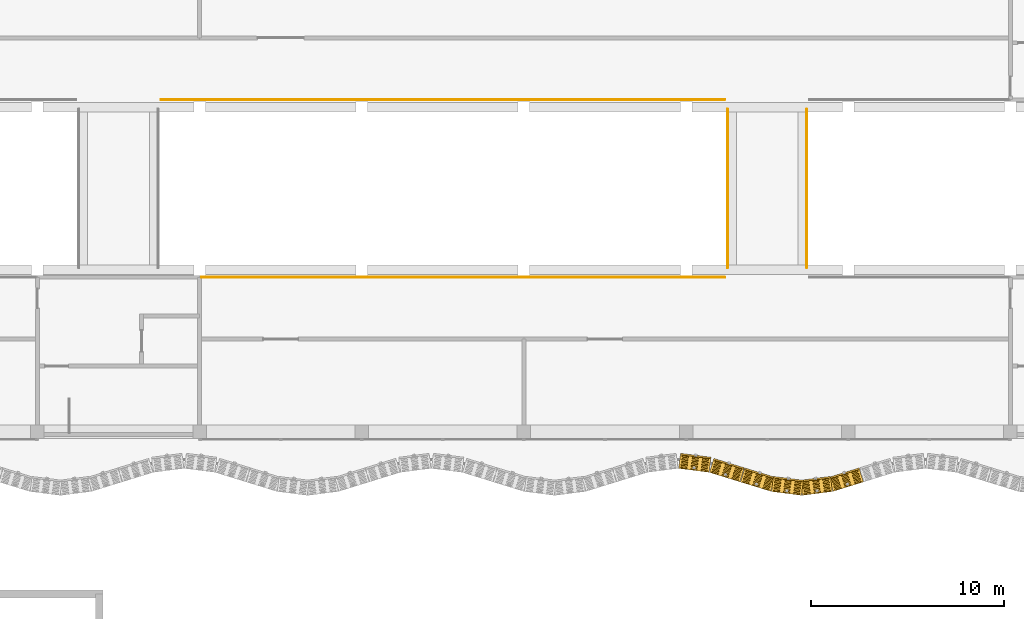
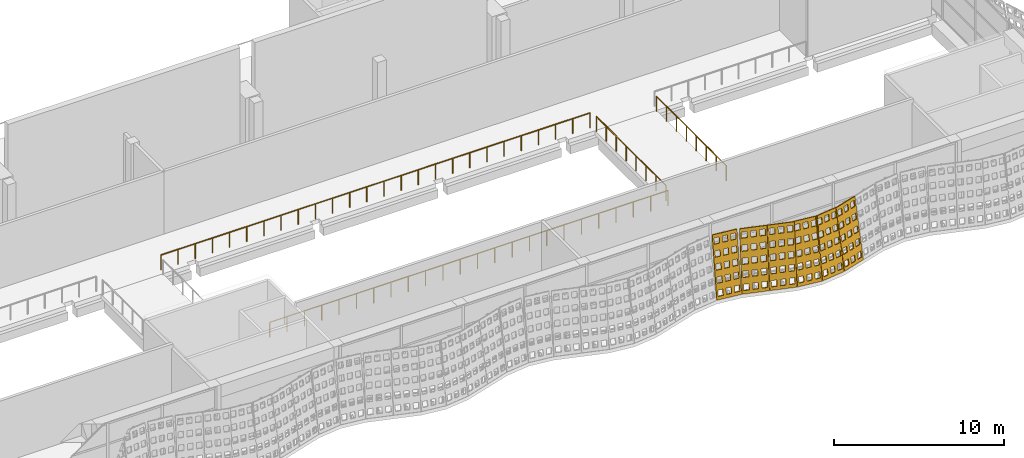
# One storey, part 152 of 162: 6 coverings, 4 railings.
"""IFC4 building model written with IfcOpenShell, lengths in metres."""

from ifc_helpers import new_model, si_unit, direction, frame, origin, origin_2d, place, context, subcontext, project, spatial, polyline, circle, outline, extrude, material, layer, layer_set, type_object, element, save


model = new_model("IFC4")

# Units and contexts
model_context = context("Model", 3, precision=1e-05, world=origin(), true_north=direction((0.0, 1.0)))
body_context = subcontext(model_context, "Body", "Model", "MODEL_VIEW")
ifc_project = project(units=[si_unit("LENGTHUNIT", "METRE"), si_unit("AREAUNIT", "SQUARE_METRE"), si_unit("VOLUMEUNIT", "CUBIC_METRE"), si_unit("PLANEANGLEUNIT", "RADIAN"), si_unit("MASSUNIT", "GRAM", prefix="KILO")], contexts=[model_context])

# Site, building, storey
site_placement = place(None, origin())
site = spatial("IfcSite", under=ifc_project, at=site_placement, CompositionType="ELEMENT")
building_placement = place(site_placement, origin())
building = spatial("IfcBuilding", under=site, at=building_placement, Name="Rain Tree Exposition and Congress Centre", CompositionType="ELEMENT")
storey_placement = place(building_placement, frame((0.0, 0.0, 6.0)))
storey = spatial("IfcBuildingStorey", under=building, at=storey_placement, Name="L01", CompositionType="ELEMENT", Elevation=6.0)

# Railings
ifc_material_1 = material(Name="Aluminium and glass balustrade", Category="aluminium")
railing_type = type_object("IfcRailingType", Name="Concourse guard 1100", PredefinedType="GUARDRAIL", material=ifc_material_1)
railing_1_placement = place(storey_placement, frame((218.5, 83.60009765625, 0.0)))
element("IfcRailing", 1, at=railing_1_placement, inside=storey, type_object=railing_type, Name="Concourse promenade guard 12", PredefinedType="GUARDRAIL", context=body_context, shape_type="SweptSolid", body=[
    extrude(circle(Radius=0.02392578125, at=origin_2d()), frame((0.0, 0.0, 1.076171875), z_axis=(1.0, 0.0, 0.0), x_axis=(0.0, 1.0, 0.0)), (0.0, 0.0, 1.0), 27.10009765625),
    extrude(circle(Radius=0.02099609375, at=origin_2d()), origin(), (0.0, 0.0, 1.0), 1.052001953125),
    extrude(circle(Radius=0.02099609375, at=origin_2d()), frame((1.17822265625, 0.0, 0.0)), (0.0, 0.0, 1.0), 1.052001953125),
    extrude(circle(Radius=0.02099609375, at=origin_2d()), frame((2.3564453125, 0.0, 0.0)), (0.0, 0.0, 1.0), 1.052001953125),
    extrude(circle(Radius=0.02099609375, at=origin_2d()), frame((3.534912109375, 0.0, 0.0)), (0.0, 0.0, 1.0), 1.052001953125),
    extrude(circle(Radius=0.02099609375, at=origin_2d()), frame((4.713134765625, 0.0, 0.0)), (0.0, 0.0, 1.0), 1.052001953125),
    extrude(circle(Radius=0.02099609375, at=origin_2d()), frame((5.891357421875, 0.0, 0.0)), (0.0, 0.0, 1.0), 1.052001953125),
    extrude(circle(Radius=0.02099609375, at=origin_2d()), frame((7.069580078125, 0.0, 0.0)), (0.0, 0.0, 1.0), 1.052001953125),
    extrude(circle(Radius=0.02099609375, at=origin_2d()), frame((8.247802734375, 0.0, 0.0)), (0.0, 0.0, 1.0), 1.052001953125),
    extrude(circle(Radius=0.02099609375, at=origin_2d()), frame((9.426025390625, 0.0, 0.0)), (0.0, 0.0, 1.0), 1.052001953125),
    extrude(circle(Radius=0.02099609375, at=origin_2d()), frame((10.6044921875, 0.0, 0.0)), (0.0, 0.0, 1.0), 1.052001953125),
    extrude(circle(Radius=0.02099609375, at=origin_2d()), frame((11.78271484375, 0.0, 0.0)), (0.0, 0.0, 1.0), 1.052001953125),
    extrude(circle(Radius=0.02099609375, at=origin_2d()), frame((12.9609375, 0.0, 0.0)), (0.0, 0.0, 1.0), 1.052001953125),
    extrude(circle(Radius=0.02099609375, at=origin_2d()), frame((14.13916015625, 0.0, 0.0)), (0.0, 0.0, 1.0), 1.052001953125),
    extrude(circle(Radius=0.02099609375, at=origin_2d()), frame((15.3173828125, 0.0, 0.0)), (0.0, 0.0, 1.0), 1.052001953125),
    extrude(circle(Radius=0.02099609375, at=origin_2d()), frame((16.49560546875, 0.0, 0.0)), (0.0, 0.0, 1.0), 1.052001953125),
    extrude(circle(Radius=0.02099609375, at=origin_2d()), frame((17.674072265625, 0.0, 0.0)), (0.0, 0.0, 1.0), 1.052001953125),
    extrude(circle(Radius=0.02099609375, at=origin_2d()), frame((18.852294921875, 0.0, 0.0)), (0.0, 0.0, 1.0), 1.052001953125),
    extrude(circle(Radius=0.02099609375, at=origin_2d()), frame((20.030517578125, 0.0, 0.0)), (0.0, 0.0, 1.0), 1.052001953125),
    extrude(circle(Radius=0.02099609375, at=origin_2d()), frame((21.208740234375, 0.0, 0.0)), (0.0, 0.0, 1.0), 1.052001953125),
    extrude(circle(Radius=0.02099609375, at=origin_2d()), frame((22.386962890625, 0.0, 0.0)), (0.0, 0.0, 1.0), 1.052001953125),
    extrude(circle(Radius=0.02099609375, at=origin_2d()), frame((23.565185546875, 0.0, 0.0)), (0.0, 0.0, 1.0), 1.052001953125),
    extrude(circle(Radius=0.02099609375, at=origin_2d()), frame((24.74365234375, 0.0, 0.0)), (0.0, 0.0, 1.0), 1.052001953125),
    extrude(circle(Radius=0.02099609375, at=origin_2d()), frame((25.921875, 0.0, 0.0)), (0.0, 0.0, 1.0), 1.052001953125),
    extrude(circle(Radius=0.02099609375, at=origin_2d()), frame((27.10009765625, 0.0, 0.0)), (0.0, 0.0, 1.0), 1.052001953125),
])
railing_2_placement = place(storey_placement, frame((216.39990234375, 92.800048828125, 0.0)))
element("IfcRailing", 2, at=railing_2_placement, inside=storey, type_object=railing_type, Name="Concourse promenade guard 26", PredefinedType="GUARDRAIL", context=body_context, shape_type="SweptSolid", body=[
    extrude(circle(Radius=0.02392578125, at=origin_2d()), frame((0.0, 0.0, 1.076171875), z_axis=(1.0, 0.0, 0.0), x_axis=(0.0, 1.0, 0.0)), (0.0, 0.0, 1.0), 29.2001953125),
    extrude(circle(Radius=0.02099609375, at=origin_2d()), origin(), (0.0, 0.0, 1.0), 1.052001953125),
    extrude(circle(Radius=0.02099609375, at=origin_2d()), frame((1.16796875, 0.0, 0.0)), (0.0, 0.0, 1.0), 1.052001953125),
    extrude(circle(Radius=0.02099609375, at=origin_2d()), frame((2.3359375, 0.0, 0.0)), (0.0, 0.0, 1.0), 1.052001953125),
    extrude(circle(Radius=0.02099609375, at=origin_2d()), frame((3.50390625, 0.0, 0.0)), (0.0, 0.0, 1.0), 1.052001953125),
    extrude(circle(Radius=0.02099609375, at=origin_2d()), frame((4.672119140625, 0.0, 0.0)), (0.0, 0.0, 1.0), 1.052001953125),
    extrude(circle(Radius=0.02099609375, at=origin_2d()), frame((5.840087890625, 0.0, 0.0)), (0.0, 0.0, 1.0), 1.052001953125),
    extrude(circle(Radius=0.02099609375, at=origin_2d()), frame((7.008056640625, 0.0, 0.0)), (0.0, 0.0, 1.0), 1.052001953125),
    extrude(circle(Radius=0.02099609375, at=origin_2d()), frame((8.176025390625, 0.0, 0.0)), (0.0, 0.0, 1.0), 1.052001953125),
    extrude(circle(Radius=0.02099609375, at=origin_2d()), frame((9.343994140625, 0.0, 0.0)), (0.0, 0.0, 1.0), 1.052001953125),
    extrude(circle(Radius=0.02099609375, at=origin_2d()), frame((10.511962890625, 0.0, 0.0)), (0.0, 0.0, 1.0), 1.052001953125),
    extrude(circle(Radius=0.02099609375, at=origin_2d()), frame((11.68017578125, 0.0, 0.0)), (0.0, 0.0, 1.0), 1.052001953125),
    extrude(circle(Radius=0.02099609375, at=origin_2d()), frame((12.84814453125, 0.0, 0.0)), (0.0, 0.0, 1.0), 1.052001953125),
    extrude(circle(Radius=0.02099609375, at=origin_2d()), frame((14.01611328125, 0.0, 0.0)), (0.0, 0.0, 1.0), 1.052001953125),
    extrude(circle(Radius=0.02099609375, at=origin_2d()), frame((15.18408203125, 0.0, 0.0)), (0.0, 0.0, 1.0), 1.052001953125),
    extrude(circle(Radius=0.02099609375, at=origin_2d()), frame((16.35205078125, 0.0, 0.0)), (0.0, 0.0, 1.0), 1.052001953125),
    extrude(circle(Radius=0.02099609375, at=origin_2d()), frame((17.52001953125, 0.0, 0.0)), (0.0, 0.0, 1.0), 1.052001953125),
    extrude(circle(Radius=0.02099609375, at=origin_2d()), frame((18.688232421875, 0.0, 0.0)), (0.0, 0.0, 1.0), 1.052001953125),
    extrude(circle(Radius=0.02099609375, at=origin_2d()), frame((19.856201171875, 0.0, 0.0)), (0.0, 0.0, 1.0), 1.052001953125),
    extrude(circle(Radius=0.02099609375, at=origin_2d()), frame((21.024169921875, 0.0, 0.0)), (0.0, 0.0, 1.0), 1.052001953125),
    extrude(circle(Radius=0.02099609375, at=origin_2d()), frame((22.192138671875, 0.0, 0.0)), (0.0, 0.0, 1.0), 1.052001953125),
    extrude(circle(Radius=0.02099609375, at=origin_2d()), frame((23.360107421875, 0.0, 0.0)), (0.0, 0.0, 1.0), 1.052001953125),
    extrude(circle(Radius=0.02099609375, at=origin_2d()), frame((24.528076171875, 0.0, 0.0)), (0.0, 0.0, 1.0), 1.052001953125),
    extrude(circle(Radius=0.02099609375, at=origin_2d()), frame((25.6962890625, 0.0, 0.0)), (0.0, 0.0, 1.0), 1.052001953125),
    extrude(circle(Radius=0.02099609375, at=origin_2d()), frame((26.8642578125, 0.0, 0.0)), (0.0, 0.0, 1.0), 1.052001953125),
    extrude(circle(Radius=0.02099609375, at=origin_2d()), frame((28.0322265625, 0.0, 0.0)), (0.0, 0.0, 1.0), 1.052001953125),
    extrude(circle(Radius=0.02099609375, at=origin_2d()), frame((29.2001953125, 0.0, 0.0)), (0.0, 0.0, 1.0), 1.052001953125),
])
for number, where, name in (
    (3, (245.75, 84.10009765625, 0.0), "Concourse bridge guard 8.1"),
    (4, (249.85009765625, 84.10009765625, 0.0), "Concourse bridge guard 8.2"),
):
    element("IfcRailing", number, at=place(storey_placement, frame(where)), inside=storey, type_object=railing_type, Name=name, PredefinedType="GUARDRAIL", context=body_context, shape_type="SweptSolid", body=[
        extrude(circle(Radius=0.02392578125, at=origin_2d()), frame((0.0, 0.0, 1.076171875), z_axis=(0.0, 1.0, 0.0), x_axis=(-1.0, 0.0, 0.0)), (0.0, 0.0, 1.0), 8.199951171875),
        extrude(circle(Radius=0.02099609375, at=origin_2d()), origin(), (0.0, 0.0, 1.0), 1.052001953125),
        extrude(circle(Radius=0.02099609375, at=origin_2d()), frame((0.0, 1.17138671875, 0.0)), (0.0, 0.0, 1.0), 1.052001953125),
        extrude(circle(Radius=0.02099609375, at=origin_2d()), frame((0.0, 2.3427734375, 0.0)), (0.0, 0.0, 1.0), 1.052001953125),
        extrude(circle(Radius=0.02099609375, at=origin_2d()), frame((0.0, 3.51416015625, 0.0)), (0.0, 0.0, 1.0), 1.052001953125),
        extrude(circle(Radius=0.02099609375, at=origin_2d()), frame((0.0, 4.685791015625, 0.0)), (0.0, 0.0, 1.0), 1.052001953125),
        extrude(circle(Radius=0.02099609375, at=origin_2d()), frame((0.0, 5.857177734375, 0.0)), (0.0, 0.0, 1.0), 1.052001953125),
        extrude(circle(Radius=0.02099609375, at=origin_2d()), frame((0.0, 7.028564453125, 0.0)), (0.0, 0.0, 1.0), 1.052001953125),
        extrude(circle(Radius=0.02099609375, at=origin_2d()), frame((0.0, 8.199951171875, 0.0)), (0.0, 0.0, 1.0), 1.052001953125),
    ])

# Coverings
ifc_material_2 = material(Name="Perforated terracotta", Category="masonry")
ifc_layer = layer(ifc_material_2, 0.080078125)
ifc_layer_set = layer_set([ifc_layer], Name="Perforated terracotta")
covering_type = type_object("IfcCoveringType", Name="Terracotta screen 80", PredefinedType="CLADDING", material=ifc_layer_set)
covering_1_placement = place(storey_placement, frame((243.2001953125, 73.701904296875, 0.01318359375), z_axis=(0.125342414455, 0.978282259159, -0.165085131233), x_axis=(-0.991891686382, 0.127086122318, 0.0)))
element("IfcCovering", 5, at=covering_1_placement, inside=storey, type_object=covering_type, Name="concourse/screen/L01/153", PredefinedType="CLADDING", context=body_context, shape_type="SweptSolid", body=[
    extrude(outline(polyline([(-1.59814453125, 0.0), (-1.59814453125, 4.295166015625), (-0.014892578125, 4.295166015625), (-0.014892578125, 0.0), (-1.59814453125, 0.0)]), holes=[polyline([(-0.115234375, 0.2216796875), (-0.115234375, 0.63720703125), (-0.4423828125, 0.63720703125), (-0.4423828125, 0.2216796875), (-0.115234375, 0.2216796875)]), polyline([(-0.115234375, 1.080810546875), (-0.115234375, 1.496337890625), (-0.4423828125, 1.496337890625), (-0.4423828125, 1.080810546875), (-0.115234375, 1.080810546875)]), polyline([(-0.115234375, 1.939697265625), (-0.115234375, 2.35546875), (-0.4423828125, 2.35546875), (-0.4423828125, 1.939697265625), (-0.115234375, 1.939697265625)]), polyline([(-0.115234375, 2.798583984375), (-0.115234375, 3.21435546875), (-0.4423828125, 3.21435546875), (-0.4423828125, 2.798583984375), (-0.115234375, 2.798583984375)]), polyline([(-0.115234375, 3.65771484375), (-0.115234375, 4.073486328125), (-0.4423828125, 4.073486328125), (-0.4423828125, 3.65771484375), (-0.115234375, 3.65771484375)]), polyline([(-0.64306640625, 0.2216796875), (-0.64306640625, 0.63720703125), (-0.97021484375, 0.63720703125), (-0.97021484375, 0.2216796875), (-0.64306640625, 0.2216796875)]), polyline([(-0.64306640625, 1.080810546875), (-0.64306640625, 1.496337890625), (-0.97021484375, 1.496337890625), (-0.97021484375, 1.080810546875), (-0.64306640625, 1.080810546875)]), polyline([(-0.64306640625, 1.939697265625), (-0.64306640625, 2.35546875), (-0.97021484375, 2.35546875), (-0.97021484375, 1.939697265625), (-0.64306640625, 1.939697265625)]), polyline([(-0.64306640625, 2.798583984375), (-0.64306640625, 3.21435546875), (-0.97021484375, 3.21435546875), (-0.97021484375, 2.798583984375), (-0.64306640625, 2.798583984375)]), polyline([(-0.64306640625, 3.65771484375), (-0.64306640625, 4.073486328125), (-0.97021484375, 4.073486328125), (-0.97021484375, 3.65771484375), (-0.64306640625, 3.65771484375)]), polyline([(-1.170654296875, 0.2216796875), (-1.170654296875, 0.63720703125), (-1.497802734375, 0.63720703125), (-1.497802734375, 0.2216796875), (-1.170654296875, 0.2216796875)]), polyline([(-1.170654296875, 1.080810546875), (-1.170654296875, 1.496337890625), (-1.497802734375, 1.496337890625), (-1.497802734375, 1.080810546875), (-1.170654296875, 1.080810546875)]), polyline([(-1.170654296875, 1.939697265625), (-1.170654296875, 2.35546875), (-1.497802734375, 2.35546875), (-1.497802734375, 1.939697265625), (-1.170654296875, 1.939697265625)]), polyline([(-1.170654296875, 2.798583984375), (-1.170654296875, 3.21435546875), (-1.497802734375, 3.21435546875), (-1.497802734375, 2.798583984375), (-1.170654296875, 2.798583984375)]), polyline([(-1.170654296875, 3.65771484375), (-1.170654296875, 4.073486328125), (-1.497802734375, 4.073486328125), (-1.497802734375, 3.65771484375), (-1.170654296875, 3.65771484375)])]), origin(), (0.0, 0.0, 1.0), 0.079833984375),
])
covering_2_placement = place(storey_placement, frame((244.800537109375, 73.49658203125, 0.0126953125), z_axis=(0.292932171154, 0.942875425902, -0.158671592708), x_axis=(-0.954973588716, 0.296690823679, 0.0)))
element("IfcCovering", 6, at=covering_2_placement, inside=storey, type_object=covering_type, Name="concourse/screen/L01/154", PredefinedType="CLADDING", context=body_context, shape_type="SweptSolid", body=[
    extrude(outline(polyline([(-1.659912109375, 0.0), (-1.659912109375, 4.29150390625), (-0.014892578125, 4.29150390625), (-0.014892578125, 0.0), (-1.659912109375, 0.0)]), holes=[polyline([(-0.119140625, 0.221435546875), (-0.119140625, 0.63671875), (-0.458984375, 0.63671875), (-0.458984375, 0.221435546875), (-0.119140625, 0.221435546875)]), polyline([(-0.119140625, 1.079833984375), (-0.119140625, 1.4951171875), (-0.458984375, 1.4951171875), (-0.458984375, 1.079833984375), (-0.119140625, 1.079833984375)]), polyline([(-0.119140625, 1.93798828125), (-0.119140625, 2.353271484375), (-0.458984375, 2.353271484375), (-0.458984375, 1.93798828125), (-0.119140625, 1.93798828125)]), polyline([(-0.119140625, 2.79638671875), (-0.119140625, 3.211669921875), (-0.458984375, 3.211669921875), (-0.458984375, 2.79638671875), (-0.119140625, 2.79638671875)]), polyline([(-0.119140625, 3.654541015625), (-0.119140625, 4.06982421875), (-0.458984375, 4.06982421875), (-0.458984375, 3.654541015625), (-0.119140625, 3.654541015625)]), polyline([(-0.66748046875, 0.221435546875), (-0.66748046875, 0.63671875), (-1.00732421875, 0.63671875), (-1.00732421875, 0.221435546875), (-0.66748046875, 0.221435546875)]), polyline([(-0.66748046875, 1.079833984375), (-0.66748046875, 1.4951171875), (-1.00732421875, 1.4951171875), (-1.00732421875, 1.079833984375), (-0.66748046875, 1.079833984375)]), polyline([(-0.66748046875, 1.93798828125), (-0.66748046875, 2.353271484375), (-1.00732421875, 2.353271484375), (-1.00732421875, 1.93798828125), (-0.66748046875, 1.93798828125)]), polyline([(-0.66748046875, 2.79638671875), (-0.66748046875, 3.211669921875), (-1.00732421875, 3.211669921875), (-1.00732421875, 2.79638671875), (-0.66748046875, 2.79638671875)]), polyline([(-0.66748046875, 3.654541015625), (-0.66748046875, 4.06982421875), (-1.00732421875, 4.06982421875), (-1.00732421875, 3.654541015625), (-0.66748046875, 3.654541015625)]), polyline([(-1.2158203125, 0.221435546875), (-1.2158203125, 0.63671875), (-1.5556640625, 0.63671875), (-1.5556640625, 0.221435546875), (-1.2158203125, 0.221435546875)]), polyline([(-1.2158203125, 1.079833984375), (-1.2158203125, 1.4951171875), (-1.5556640625, 1.4951171875), (-1.5556640625, 1.079833984375), (-1.2158203125, 1.079833984375)]), polyline([(-1.2158203125, 1.93798828125), (-1.2158203125, 2.353271484375), (-1.5556640625, 2.353271484375), (-1.5556640625, 1.93798828125), (-1.2158203125, 1.93798828125)]), polyline([(-1.2158203125, 2.79638671875), (-1.2158203125, 3.211669921875), (-1.5556640625, 3.211669921875), (-1.5556640625, 2.79638671875), (-1.2158203125, 2.79638671875)]), polyline([(-1.2158203125, 3.654541015625), (-1.2158203125, 4.06982421875), (-1.5556640625, 4.06982421875), (-1.5556640625, 3.654541015625), (-1.2158203125, 3.654541015625)])]), origin(), (0.0, 0.0, 1.0), 0.080078125),
])
covering_3_placement = place(storey_placement, frame((246.400634765625, 73.001708984375, 0.0126953125), z_axis=(0.290138898064, 0.943714942124, -0.158812870519), x_axis=(-0.955845867297, 0.293868470528, 0.0)))
element("IfcCovering", 7, at=covering_3_placement, inside=storey, type_object=covering_type, Name="concourse/screen/L01/155", PredefinedType="CLADDING", context=body_context, shape_type="SweptSolid", body=[
    extrude(outline(polyline([(-1.65283203125, 0.0), (-1.65283203125, 4.29150390625), (-0.014892578125, 4.29150390625), (-0.014892578125, 0.0), (-1.65283203125, 0.0)]), holes=[polyline([(-0.11865234375, 0.221435546875), (-0.11865234375, 0.63671875), (-0.457275390625, 0.63671875), (-0.457275390625, 0.221435546875), (-0.11865234375, 0.221435546875)]), polyline([(-0.11865234375, 1.079833984375), (-0.11865234375, 1.4951171875), (-0.457275390625, 1.4951171875), (-0.457275390625, 1.079833984375), (-0.11865234375, 1.079833984375)]), polyline([(-0.11865234375, 1.93798828125), (-0.11865234375, 2.353271484375), (-0.457275390625, 2.353271484375), (-0.457275390625, 1.93798828125), (-0.11865234375, 1.93798828125)]), polyline([(-0.11865234375, 2.79638671875), (-0.11865234375, 3.211669921875), (-0.457275390625, 3.211669921875), (-0.457275390625, 2.79638671875), (-0.11865234375, 2.79638671875)]), polyline([(-0.11865234375, 3.654541015625), (-0.11865234375, 4.06982421875), (-0.457275390625, 4.06982421875), (-0.457275390625, 3.654541015625), (-0.11865234375, 3.654541015625)]), polyline([(-0.664794921875, 0.221435546875), (-0.664794921875, 0.63671875), (-1.003173828125, 0.63671875), (-1.003173828125, 0.221435546875), (-0.664794921875, 0.221435546875)]), polyline([(-0.664794921875, 1.079833984375), (-0.664794921875, 1.4951171875), (-1.003173828125, 1.4951171875), (-1.003173828125, 1.079833984375), (-0.664794921875, 1.079833984375)]), polyline([(-0.664794921875, 1.93798828125), (-0.664794921875, 2.353271484375), (-1.003173828125, 2.353271484375), (-1.003173828125, 1.93798828125), (-0.664794921875, 1.93798828125)]), polyline([(-0.664794921875, 2.79638671875), (-0.664794921875, 3.211669921875), (-1.003173828125, 3.211669921875), (-1.003173828125, 2.79638671875), (-0.664794921875, 2.79638671875)]), polyline([(-0.664794921875, 3.654541015625), (-0.664794921875, 4.06982421875), (-1.003173828125, 4.06982421875), (-1.003173828125, 3.654541015625), (-0.664794921875, 3.654541015625)]), polyline([(-1.210693359375, 0.221435546875), (-1.210693359375, 0.63671875), (-1.54931640625, 0.63671875), (-1.54931640625, 0.221435546875), (-1.210693359375, 0.221435546875)]), polyline([(-1.210693359375, 1.079833984375), (-1.210693359375, 1.4951171875), (-1.54931640625, 1.4951171875), (-1.54931640625, 1.079833984375), (-1.210693359375, 1.079833984375)]), polyline([(-1.210693359375, 1.93798828125), (-1.210693359375, 2.353271484375), (-1.54931640625, 2.353271484375), (-1.54931640625, 1.93798828125), (-1.210693359375, 1.93798828125)]), polyline([(-1.210693359375, 2.79638671875), (-1.210693359375, 3.211669921875), (-1.54931640625, 3.211669921875), (-1.54931640625, 2.79638671875), (-1.210693359375, 2.79638671875)]), polyline([(-1.210693359375, 3.654541015625), (-1.210693359375, 4.06982421875), (-1.54931640625, 4.06982421875), (-1.54931640625, 3.654541015625), (-1.210693359375, 3.654541015625)])]), origin(), (0.0, 0.0, 1.0), 0.079833984375),
])
covering_4_placement = place(storey_placement, frame((248.000244140625, 72.5068359375, 0.01318359375), z_axis=(0.124968640969, 0.978413018317, -0.164592844203), x_axis=(-0.991941518713, 0.126696580272, 0.0)))
element("IfcCovering", 8, at=covering_4_placement, inside=storey, type_object=covering_type, Name="concourse/screen/L01/156", PredefinedType="CLADDING", context=body_context, shape_type="SweptSolid", body=[
    extrude(outline(polyline([(-1.587890625, 0.0), (-1.587890625, 4.295166015625), (-0.02197265625, 4.295166015625), (-0.02197265625, 0.0), (-1.587890625, 0.0)]), holes=[polyline([(-0.12109375, 0.2216796875), (-0.12109375, 0.63720703125), (-0.444580078125, 0.63720703125), (-0.444580078125, 0.2216796875), (-0.12109375, 0.2216796875)]), polyline([(-0.12109375, 1.080810546875), (-0.12109375, 1.496337890625), (-0.444580078125, 1.496337890625), (-0.444580078125, 1.080810546875), (-0.12109375, 1.080810546875)]), polyline([(-0.12109375, 1.939697265625), (-0.12109375, 2.35546875), (-0.444580078125, 2.35546875), (-0.444580078125, 1.939697265625), (-0.12109375, 1.939697265625)]), polyline([(-0.12109375, 2.798583984375), (-0.12109375, 3.21435546875), (-0.444580078125, 3.21435546875), (-0.444580078125, 2.798583984375), (-0.12109375, 2.798583984375)]), polyline([(-0.12109375, 3.65771484375), (-0.12109375, 4.073486328125), (-0.444580078125, 4.073486328125), (-0.444580078125, 3.65771484375), (-0.12109375, 3.65771484375)]), polyline([(-0.64306640625, 0.2216796875), (-0.64306640625, 0.63720703125), (-0.966796875, 0.63720703125), (-0.966796875, 0.2216796875), (-0.64306640625, 0.2216796875)]), polyline([(-0.64306640625, 1.080810546875), (-0.64306640625, 1.496337890625), (-0.966796875, 1.496337890625), (-0.966796875, 1.080810546875), (-0.64306640625, 1.080810546875)]), polyline([(-0.64306640625, 1.939697265625), (-0.64306640625, 2.35546875), (-0.966796875, 2.35546875), (-0.966796875, 1.939697265625), (-0.64306640625, 1.939697265625)]), polyline([(-0.64306640625, 2.798583984375), (-0.64306640625, 3.21435546875), (-0.966796875, 3.21435546875), (-0.966796875, 2.798583984375), (-0.64306640625, 2.798583984375)]), polyline([(-0.64306640625, 3.65771484375), (-0.64306640625, 4.073486328125), (-0.966796875, 4.073486328125), (-0.966796875, 3.65771484375), (-0.64306640625, 3.65771484375)]), polyline([(-1.1650390625, 0.2216796875), (-1.1650390625, 0.63720703125), (-1.48876953125, 0.63720703125), (-1.48876953125, 0.2216796875), (-1.1650390625, 0.2216796875)]), polyline([(-1.1650390625, 1.080810546875), (-1.1650390625, 1.496337890625), (-1.48876953125, 1.496337890625), (-1.48876953125, 1.080810546875), (-1.1650390625, 1.080810546875)]), polyline([(-1.1650390625, 1.939697265625), (-1.1650390625, 2.35546875), (-1.48876953125, 2.35546875), (-1.48876953125, 1.939697265625), (-1.1650390625, 1.939697265625)]), polyline([(-1.1650390625, 2.798583984375), (-1.1650390625, 3.21435546875), (-1.48876953125, 3.21435546875), (-1.48876953125, 2.798583984375), (-1.1650390625, 2.798583984375)]), polyline([(-1.1650390625, 3.65771484375), (-1.1650390625, 4.073486328125), (-1.48876953125, 4.073486328125), (-1.48876953125, 3.65771484375), (-1.1650390625, 3.65771484375)])]), origin(), (0.0, 0.0, 1.0), 0.080078125),
])
covering_5_placement = place(storey_placement, frame((249.599609375, 72.302001953125, 0.01318359375), z_axis=(-0.125342414455, 0.978282259159, -0.165085131233), x_axis=(-0.991891686382, -0.127086122318, 0.0)))
element("IfcCovering", 9, at=covering_5_placement, inside=storey, type_object=covering_type, Name="concourse/screen/L01/157", PredefinedType="CLADDING", context=body_context, shape_type="SweptSolid", body=[
    extrude(outline(polyline([(-1.59130859375, 0.0), (-1.59130859375, 4.295166015625), (-0.025146484375, 4.295166015625), (-0.025146484375, 0.0), (-1.59130859375, 0.0)]), holes=[polyline([(-0.12451171875, 0.2216796875), (-0.12451171875, 0.63720703125), (-0.447998046875, 0.63720703125), (-0.447998046875, 0.2216796875), (-0.12451171875, 0.2216796875)]), polyline([(-0.12451171875, 1.080810546875), (-0.12451171875, 1.496337890625), (-0.447998046875, 1.496337890625), (-0.447998046875, 1.080810546875), (-0.12451171875, 1.080810546875)]), polyline([(-0.12451171875, 1.939697265625), (-0.12451171875, 2.35546875), (-0.447998046875, 2.35546875), (-0.447998046875, 1.939697265625), (-0.12451171875, 1.939697265625)]), polyline([(-0.12451171875, 2.798583984375), (-0.12451171875, 3.21435546875), (-0.447998046875, 3.21435546875), (-0.447998046875, 2.798583984375), (-0.12451171875, 2.798583984375)]), polyline([(-0.12451171875, 3.65771484375), (-0.12451171875, 4.073486328125), (-0.447998046875, 4.073486328125), (-0.447998046875, 3.65771484375), (-0.12451171875, 3.65771484375)]), polyline([(-0.646484375, 0.2216796875), (-0.646484375, 0.63720703125), (-0.969970703125, 0.63720703125), (-0.969970703125, 0.2216796875), (-0.646484375, 0.2216796875)]), polyline([(-0.646484375, 1.080810546875), (-0.646484375, 1.496337890625), (-0.969970703125, 1.496337890625), (-0.969970703125, 1.080810546875), (-0.646484375, 1.080810546875)]), polyline([(-0.646484375, 1.939697265625), (-0.646484375, 2.35546875), (-0.969970703125, 2.35546875), (-0.969970703125, 1.939697265625), (-0.646484375, 1.939697265625)]), polyline([(-0.646484375, 2.798583984375), (-0.646484375, 3.21435546875), (-0.969970703125, 3.21435546875), (-0.969970703125, 2.798583984375), (-0.646484375, 2.798583984375)]), polyline([(-0.646484375, 3.65771484375), (-0.646484375, 4.073486328125), (-0.969970703125, 4.073486328125), (-0.969970703125, 3.65771484375), (-0.646484375, 3.65771484375)]), polyline([(-1.16845703125, 0.2216796875), (-1.16845703125, 0.63720703125), (-1.491943359375, 0.63720703125), (-1.491943359375, 0.2216796875), (-1.16845703125, 0.2216796875)]), polyline([(-1.16845703125, 1.080810546875), (-1.16845703125, 1.496337890625), (-1.491943359375, 1.496337890625), (-1.491943359375, 1.080810546875), (-1.16845703125, 1.080810546875)]), polyline([(-1.16845703125, 1.939697265625), (-1.16845703125, 2.35546875), (-1.491943359375, 2.35546875), (-1.491943359375, 1.939697265625), (-1.16845703125, 1.939697265625)]), polyline([(-1.16845703125, 2.798583984375), (-1.16845703125, 3.21435546875), (-1.491943359375, 3.21435546875), (-1.491943359375, 2.798583984375), (-1.16845703125, 2.798583984375)]), polyline([(-1.16845703125, 3.65771484375), (-1.16845703125, 4.073486328125), (-1.491943359375, 4.073486328125), (-1.491943359375, 3.65771484375), (-1.16845703125, 3.65771484375)])]), origin(), (0.0, 0.0, 1.0), 0.079833984375),
])
covering_6_placement = place(storey_placement, frame((251.199462890625, 72.506591796875, 0.0126953125), z_axis=(-0.292932171154, 0.942875425902, -0.158671592708), x_axis=(-0.954973588716, -0.296690823679, 0.0)))
element("IfcCovering", 10, at=covering_6_placement, inside=storey, type_object=covering_type, Name="concourse/screen/L01/158", PredefinedType="CLADDING", context=body_context, shape_type="SweptSolid", body=[
    extrude(outline(polyline([(-1.659912109375, 0.0), (-1.659912109375, 4.29150390625), (-0.02197265625, 4.29150390625), (-0.02197265625, 0.0), (-1.659912109375, 0.0)]), holes=[polyline([(-0.125732421875, 0.221435546875), (-0.125732421875, 0.63671875), (-0.464111328125, 0.63671875), (-0.464111328125, 0.221435546875), (-0.125732421875, 0.221435546875)]), polyline([(-0.125732421875, 1.079833984375), (-0.125732421875, 1.4951171875), (-0.464111328125, 1.4951171875), (-0.464111328125, 1.079833984375), (-0.125732421875, 1.079833984375)]), polyline([(-0.125732421875, 1.93798828125), (-0.125732421875, 2.353271484375), (-0.464111328125, 2.353271484375), (-0.464111328125, 1.93798828125), (-0.125732421875, 1.93798828125)]), polyline([(-0.125732421875, 2.79638671875), (-0.125732421875, 3.211669921875), (-0.464111328125, 3.211669921875), (-0.464111328125, 2.79638671875), (-0.125732421875, 2.79638671875)]), polyline([(-0.125732421875, 3.654541015625), (-0.125732421875, 4.06982421875), (-0.464111328125, 4.06982421875), (-0.464111328125, 3.654541015625), (-0.125732421875, 3.654541015625)]), polyline([(-0.671630859375, 0.221435546875), (-0.671630859375, 0.63671875), (-1.010009765625, 0.63671875), (-1.010009765625, 0.221435546875), (-0.671630859375, 0.221435546875)]), polyline([(-0.671630859375, 1.079833984375), (-0.671630859375, 1.4951171875), (-1.010009765625, 1.4951171875), (-1.010009765625, 1.079833984375), (-0.671630859375, 1.079833984375)]), polyline([(-0.671630859375, 1.93798828125), (-0.671630859375, 2.353271484375), (-1.010009765625, 2.353271484375), (-1.010009765625, 1.93798828125), (-0.671630859375, 1.93798828125)]), polyline([(-0.671630859375, 2.79638671875), (-0.671630859375, 3.211669921875), (-1.010009765625, 3.211669921875), (-1.010009765625, 2.79638671875), (-0.671630859375, 2.79638671875)]), polyline([(-0.671630859375, 3.654541015625), (-0.671630859375, 4.06982421875), (-1.010009765625, 4.06982421875), (-1.010009765625, 3.654541015625), (-0.671630859375, 3.654541015625)]), polyline([(-1.217529296875, 0.221435546875), (-1.217529296875, 0.63671875), (-1.55615234375, 0.63671875), (-1.55615234375, 0.221435546875), (-1.217529296875, 0.221435546875)]), polyline([(-1.217529296875, 1.079833984375), (-1.217529296875, 1.4951171875), (-1.55615234375, 1.4951171875), (-1.55615234375, 1.079833984375), (-1.217529296875, 1.079833984375)]), polyline([(-1.217529296875, 1.93798828125), (-1.217529296875, 2.353271484375), (-1.55615234375, 2.353271484375), (-1.55615234375, 1.93798828125), (-1.217529296875, 1.93798828125)]), polyline([(-1.217529296875, 2.79638671875), (-1.217529296875, 3.211669921875), (-1.55615234375, 3.211669921875), (-1.55615234375, 2.79638671875), (-1.217529296875, 2.79638671875)]), polyline([(-1.217529296875, 3.654541015625), (-1.217529296875, 4.06982421875), (-1.55615234375, 4.06982421875), (-1.55615234375, 3.654541015625), (-1.217529296875, 3.654541015625)])]), origin(), (0.0, 0.0, 1.0), 0.080078125),
])

save(model, "model.ifc")
